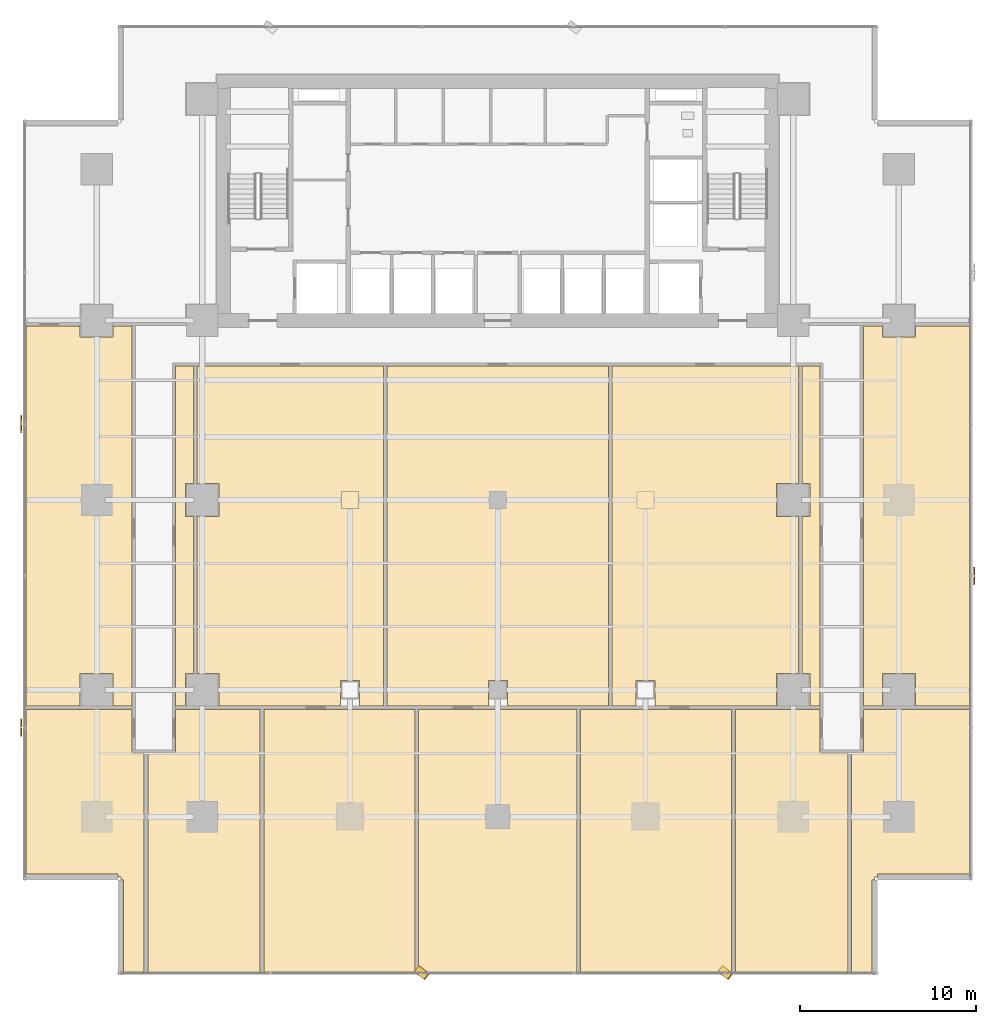
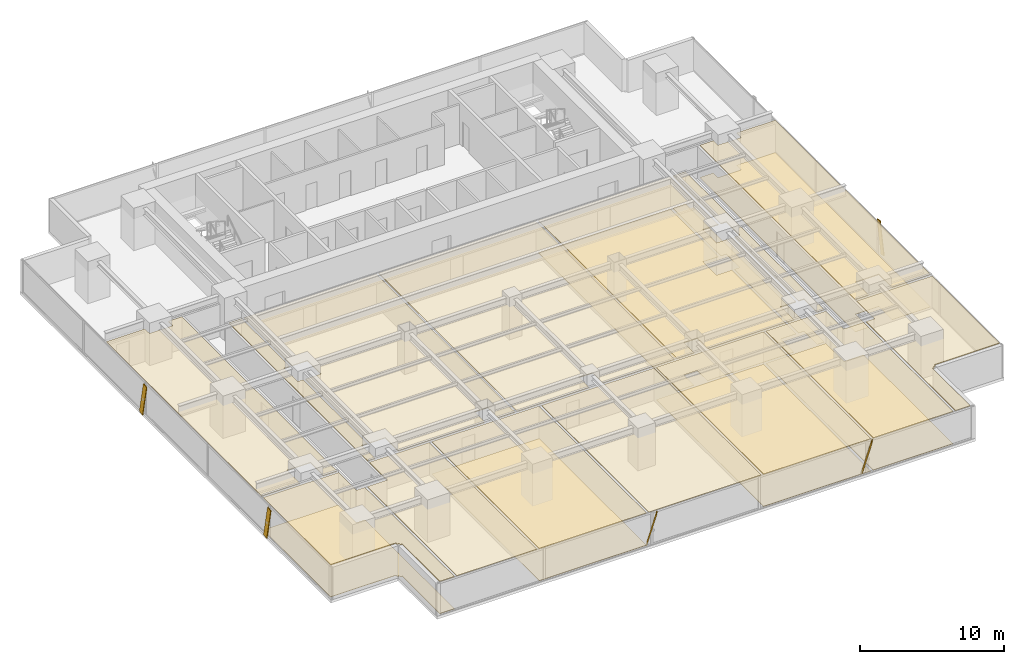
# One storey, part 30 of 34: 21 coverings, 5 shading devices.
"""IFC4 building model written with IfcOpenShell, lengths in metres."""

from ifc_helpers import new_model, si_unit, direction, frame, origin, origin_2d, place, context, subcontext, project, spatial, polyline, rectangle, outline, extrude, source, transform, mapped, material, layer, layer_set, material_profile, profile_set, type_object, element, save


model = new_model("IFC4")

# Units and contexts
model_context = context("Model", 3, precision=1e-05, world=origin(), true_north=direction((0.0, 1.0)))
body_context = subcontext(model_context, "Body", "Model", "MODEL_VIEW")
ifc_project = project(units=[si_unit("LENGTHUNIT", "METRE"), si_unit("AREAUNIT", "SQUARE_METRE"), si_unit("VOLUMEUNIT", "CUBIC_METRE"), si_unit("PLANEANGLEUNIT", "RADIAN"), si_unit("MASSUNIT", "GRAM", prefix="KILO")], contexts=[model_context])

# Site, building, storey
site_placement = place(None, origin())
site = spatial("IfcSite", under=ifc_project, at=site_placement, CompositionType="ELEMENT")
building_placement = place(site_placement, origin())
building = spatial("IfcBuilding", under=site, at=building_placement, Name="Sumidabori Civic Tower", CompositionType="ELEMENT")
storey_placement = place(building_placement, frame((0.0, 0.0, 56.0)))
storey = spatial("IfcBuildingStorey", under=building, at=storey_placement, Name="L14", CompositionType="ELEMENT", Elevation=56.0)

# Coverings
ifc_material_1 = material(Name="Gypsum Coffered Acoustic Ceiling")
ifc_layer_1 = layer(ifc_material_1, 0.06494140625, Name="Gypsum Coffered Acoustic Ceiling")
ifc_layer_set_1 = layer_set([ifc_layer_1], Name="Gypsum Coffered Acoustic Ceiling")
covering_type_1 = type_object("IfcCoveringType", Name="CV-CEIL-AC4", PredefinedType="CEILING", material=ifc_layer_set_1)
covering_1_placement = place(storey_placement, frame((0.0, 0.0, 2.7099609375)))
element("IfcCovering", 1, at=covering_1_placement, inside=storey, type_object=covering_type_1, Name="Room Acoustic Ceiling L14-02", PredefinedType="CEILING", context=body_context, shape_type="SweptSolid", body=[
    extrude(outline(polyline([(-21.860107421875, -11.697509765625), (-21.860107421875, -9.860107421875), (-23.739990234375, -9.860107421875), (-23.739990234375, -11.697509765625), (-26.830078125, -11.697509765625), (-26.830078125, 9.8974609375), (-23.739990234375, 9.8974609375), (-23.739990234375, 9.260009765625), (-21.860107421875, 9.260009765625), (-21.860107421875, 9.8974609375), (-20.784912109375, 9.8974609375), (-20.784912109375, -11.697509765625), (-21.860107421875, -11.697509765625)])), origin(), (0.0, 0.0, 1.0), 0.06494140625),
])
covering_2_placement = place(storey_placement, frame((0.0, 0.0, 2.7099609375)))
element("IfcCovering", 2, at=covering_2_placement, inside=storey, type_object=covering_type_1, Name="Room Acoustic Ceiling L14-03", PredefinedType="CEILING", context=body_context, shape_type="SweptSolid", body=[
    extrude(outline(polyline([(20.784912109375, 9.8974609375), (21.860107421875, 9.8974609375), (21.860107421875, 9.260009765625), (23.739990234375, 9.260009765625), (23.739990234375, 9.8974609375), (26.830078125, 9.8974609375), (26.830078125, -11.697509765625), (23.739990234375, -11.697509765625), (23.739990234375, -9.860107421875), (21.860107421875, -9.860107421875), (21.860107421875, -11.697509765625), (20.784912109375, -11.697509765625), (20.784912109375, 9.8974609375)])), origin(), (0.0, 0.0, 1.0), 0.06494140625),
])
covering_3_placement = place(storey_placement, frame((0.0, 0.0, 2.7099609375)))
element("IfcCovering", 3, at=covering_3_placement, inside=storey, type_object=covering_type_1, Name="Room Acoustic Ceiling L14-04", PredefinedType="CEILING", context=body_context, shape_type="SweptSolid", body=[
    extrude(outline(polyline([(-18.31494140625, 7.614990234375), (-17.302490234375, 7.614990234375), (-17.302490234375, 0.93994140625), (-17.739990234375, 0.93994140625), (-17.739990234375, -0.93994140625), (-17.302490234375, -0.93994140625), (-17.302490234375, -9.860107421875), (-17.739990234375, -9.860107421875), (-17.739990234375, -11.697509765625), (-18.31494140625, -11.697509765625), (-18.31494140625, 7.614990234375)])), origin(), (0.0, 0.0, 1.0), 0.06494140625),
])
covering_4_placement = place(storey_placement, frame((0.0, 0.0, 2.7099609375)))
element("IfcCovering", 4, at=covering_4_placement, inside=storey, type_object=covering_type_1, Name="Room Acoustic Ceiling L14-05", PredefinedType="CEILING", context=body_context, shape_type="SweptSolid", body=[
    extrude(outline(polyline([(18.31494140625, 7.614990234375), (18.31494140625, -11.697509765625), (17.739990234375, -11.697509765625), (17.739990234375, -9.860107421875), (17.302490234375, -9.860107421875), (17.302490234375, -0.93994140625), (17.739990234375, -0.93994140625), (17.739990234375, 0.93994140625), (17.302490234375, 0.93994140625), (17.302490234375, 7.614990234375), (18.31494140625, 7.614990234375)])), origin(), (0.0, 0.0, 1.0), 0.06494140625),
])
covering_5_placement = place(storey_placement, frame((0.0, 0.0, 2.7099609375)))
element("IfcCovering", 5, at=covering_5_placement, inside=storey, type_object=covering_type_1, Name="Room Acoustic Ceiling L14-06", PredefinedType="CEILING", context=body_context, shape_type="SweptSolid", body=[
    extrude(outline(polyline([(-6.50244140625, 7.614990234375), (-6.50244140625, -11.697509765625), (-7.860107421875, -11.697509765625), (-7.860107421875, -10.260009765625), (-8.93994140625, -10.260009765625), (-8.93994140625, -11.697509765625), (-15.860107421875, -11.697509765625), (-15.860107421875, -9.860107421875), (-17.097412109375, -9.860107421875), (-17.097412109375, -0.93994140625), (-15.860107421875, -0.93994140625), (-15.860107421875, 0.93994140625), (-17.097412109375, 0.93994140625), (-17.097412109375, 7.614990234375), (-6.50244140625, 7.614990234375)])), origin(), (0.0, 0.0, 1.0), 0.06494140625),
])
covering_6_placement = place(storey_placement, frame((0.0, 0.0, 2.7099609375)))
element("IfcCovering", 6, at=covering_6_placement, inside=storey, type_object=covering_type_1, Name="Room Acoustic Ceiling L14-07", PredefinedType="CEILING", context=body_context, shape_type="SweptSolid", body=[
    extrude(outline(polyline([(6.50244140625, 7.614990234375), (17.097412109375, 7.614990234375), (17.097412109375, 0.93994140625), (15.860107421875, 0.93994140625), (15.860107421875, -0.93994140625), (17.097412109375, -0.93994140625), (17.097412109375, -9.860107421875), (15.860107421875, -9.860107421875), (15.860107421875, -11.697509765625), (8.93994140625, -11.697509765625), (8.93994140625, -10.260009765625), (7.860107421875, -10.260009765625), (7.860107421875, -11.697509765625), (6.50244140625, -11.697509765625), (6.50244140625, 7.614990234375)])), origin(), (0.0, 0.0, 1.0), 0.06494140625),
])
covering_7_placement = place(storey_placement, frame((0.0, 0.0, 2.7099609375)))
element("IfcCovering", 7, at=covering_7_placement, inside=storey, type_object=covering_type_1, Name="Room Acoustic Ceiling L14-08", PredefinedType="CEILING", context=body_context, shape_type="SweptSolid", body=[
    extrude(outline(polyline([(-6.297607421875, 7.614990234375), (6.297607421875, 7.614990234375), (6.297607421875, -11.697509765625), (0.5400390625, -11.697509765625), (0.5400390625, -10.260009765625), (-0.5400390625, -10.260009765625), (-0.5400390625, -11.697509765625), (-6.297607421875, -11.697509765625), (-6.297607421875, 7.614990234375)])), origin(), (0.0, 0.0, 1.0), 0.06494140625),
])
covering_8_placement = place(storey_placement, frame((0.0, 0.0, 2.7099609375)))
element("IfcCovering", 8, at=covering_8_placement, inside=storey, type_object=covering_type_1, Name="Room Acoustic Ceiling L14-09", PredefinedType="CEILING", context=body_context, shape_type="SweptSolid", body=[
    extrude(outline(polyline([(-26.830078125, -21.27197265625), (-26.830078125, -11.902587890625), (-20.784912109375, -11.902587890625), (-20.784912109375, -14.385009765625), (-20.1025390625, -14.385009765625), (-20.1025390625, -26.830078125), (-21.27197265625, -26.830078125), (-21.27197265625, -21.592041015625), (-21.429931640625, -21.592041015625), (-21.429931640625, -21.429931640625), (-21.592041015625, -21.429931640625), (-21.592041015625, -21.27197265625), (-26.830078125, -21.27197265625)])), origin(), (0.0, 0.0, 1.0), 0.06494140625),
])
covering_9_placement = place(storey_placement, frame((0.0, 0.0, 2.7099609375)))
element("IfcCovering", 9, at=covering_9_placement, inside=storey, type_object=covering_type_1, Name="Room Acoustic Ceiling L14-10", PredefinedType="CEILING", context=body_context, shape_type="SweptSolid", body=[
    extrude(outline(polyline([(20.784912109375, -14.385009765625), (20.784912109375, -11.902587890625), (26.830078125, -11.902587890625), (26.830078125, -21.27197265625), (21.592041015625, -21.27197265625), (21.592041015625, -21.429931640625), (21.429931640625, -21.429931640625), (21.429931640625, -21.592041015625), (21.27197265625, -21.592041015625), (21.27197265625, -26.830078125), (20.1025390625, -26.830078125), (20.1025390625, -14.385009765625), (20.784912109375, -14.385009765625)])), origin(), (0.0, 0.0, 1.0), 0.06494140625),
])
covering_10_placement = place(storey_placement, frame((0.0, 0.0, 2.7099609375)))
element("IfcCovering", 10, at=covering_10_placement, inside=storey, type_object=covering_type_1, Name="Room Acoustic Ceiling L14-11", PredefinedType="CEILING", context=body_context, shape_type="SweptSolid", body=[
    extrude(outline(polyline([(-4.702392578125, -26.830078125), (-13.297607421875, -26.830078125), (-13.297607421875, -11.902587890625), (-4.702392578125, -11.902587890625), (-4.702392578125, -26.830078125)])), origin(), (0.0, 0.0, 1.0), 0.06494140625),
])
covering_11_placement = place(storey_placement, frame((0.0, 0.0, 2.7099609375)))
element("IfcCovering", 11, at=covering_11_placement, inside=storey, type_object=covering_type_1, Name="Room Acoustic Ceiling L14-12", PredefinedType="CEILING", context=body_context, shape_type="SweptSolid", body=[
    extrude(outline(polyline([(4.49755859375, -26.830078125), (-4.49755859375, -26.830078125), (-4.49755859375, -11.902587890625), (4.49755859375, -11.902587890625), (4.49755859375, -26.830078125)])), origin(), (0.0, 0.0, 1.0), 0.06494140625),
])
covering_12_placement = place(storey_placement, frame((0.0, 0.0, 2.7099609375)))
element("IfcCovering", 12, at=covering_12_placement, inside=storey, type_object=covering_type_1, Name="Room Acoustic Ceiling L14-13", PredefinedType="CEILING", context=body_context, shape_type="SweptSolid", body=[
    extrude(outline(polyline([(13.297607421875, -26.830078125), (4.702392578125, -26.830078125), (4.702392578125, -11.902587890625), (13.297607421875, -11.902587890625), (13.297607421875, -26.830078125)])), origin(), (0.0, 0.0, 1.0), 0.06494140625),
])
covering_13_placement = place(storey_placement, frame((0.0, 0.0, 2.7099609375)))
element("IfcCovering", 13, at=covering_13_placement, inside=storey, type_object=covering_type_1, Name="Room Acoustic Ceiling L14-14", PredefinedType="CEILING", context=body_context, shape_type="SweptSolid", body=[
    extrude(outline(polyline([(-18.31494140625, -14.385009765625), (-18.31494140625, -11.902587890625), (-13.50244140625, -11.902587890625), (-13.50244140625, -26.830078125), (-19.8974609375, -26.830078125), (-19.8974609375, -14.385009765625), (-18.31494140625, -14.385009765625)])), origin(), (0.0, 0.0, 1.0), 0.06494140625),
])
covering_14_placement = place(storey_placement, frame((0.0, 0.0, 2.7099609375)))
element("IfcCovering", 14, at=covering_14_placement, inside=storey, type_object=covering_type_1, Name="Room Acoustic Ceiling L14-15", PredefinedType="CEILING", context=body_context, shape_type="SweptSolid", body=[
    extrude(outline(polyline([(18.31494140625, -14.385009765625), (19.8974609375, -14.385009765625), (19.8974609375, -26.830078125), (13.50244140625, -26.830078125), (13.50244140625, -11.902587890625), (18.31494140625, -11.902587890625), (18.31494140625, -14.385009765625)])), origin(), (0.0, 0.0, 1.0), 0.06494140625),
])
ifc_material_2 = material(Name="Honed Terrazzo Tile Flooring")
ifc_layer_2 = layer(ifc_material_2, 0.030029296875, Name="Honed Terrazzo Tile Flooring")
ifc_layer_set_2 = layer_set([ifc_layer_2], Name="Honed Terrazzo Tile Flooring")
covering_type_2 = type_object("IfcCoveringType", Name="CV-FLR-TER", PredefinedType="FLOORING", material=ifc_layer_set_2)
covering_15_placement = place(storey_placement, origin())
element("IfcCovering", 15, at=covering_15_placement, inside=storey, type_object=covering_type_2, Name="Room Terrazzo Floor L14-03", PredefinedType="FLOORING", context=body_context, shape_type="SweptSolid", body=[
    extrude(outline(polyline([(20.784912109375, 9.8974609375), (21.860107421875, 9.8974609375), (21.860107421875, 9.260009765625), (23.739990234375, 9.260009765625), (23.739990234375, 9.8974609375), (26.830078125, 9.8974609375), (26.830078125, -11.697509765625), (23.739990234375, -11.697509765625), (23.739990234375, -9.860107421875), (21.860107421875, -9.860107421875), (21.860107421875, -11.697509765625), (20.784912109375, -11.697509765625), (20.784912109375, 9.8974609375)])), origin(), (0.0, 0.0, 1.0), 0.030029296875),
])
covering_16_placement = place(storey_placement, origin())
element("IfcCovering", 16, at=covering_16_placement, inside=storey, type_object=covering_type_2, Name="Room Terrazzo Floor L14-05", PredefinedType="FLOORING", context=body_context, shape_type="SweptSolid", body=[
    extrude(outline(polyline([(18.31494140625, 7.614990234375), (18.31494140625, -11.697509765625), (17.739990234375, -11.697509765625), (17.739990234375, -9.860107421875), (17.302490234375, -9.860107421875), (17.302490234375, -0.93994140625), (17.739990234375, -0.93994140625), (17.739990234375, 0.93994140625), (17.302490234375, 0.93994140625), (17.302490234375, 7.614990234375), (18.31494140625, 7.614990234375)])), origin(), (0.0, 0.0, 1.0), 0.030029296875),
])
covering_17_placement = place(storey_placement, origin())
element("IfcCovering", 17, at=covering_17_placement, inside=storey, type_object=covering_type_2, Name="Room Terrazzo Floor L14-07", PredefinedType="FLOORING", context=body_context, shape_type="SweptSolid", body=[
    extrude(outline(polyline([(6.50244140625, 7.614990234375), (17.097412109375, 7.614990234375), (17.097412109375, 0.93994140625), (15.860107421875, 0.93994140625), (15.860107421875, -0.93994140625), (17.097412109375, -0.93994140625), (17.097412109375, -9.860107421875), (15.860107421875, -9.860107421875), (15.860107421875, -11.697509765625), (8.93994140625, -11.697509765625), (8.93994140625, -10.260009765625), (7.860107421875, -10.260009765625), (7.860107421875, -11.697509765625), (6.50244140625, -11.697509765625), (6.50244140625, 7.614990234375)])), origin(), (0.0, 0.0, 1.0), 0.030029296875),
])
covering_18_placement = place(storey_placement, origin())
element("IfcCovering", 18, at=covering_18_placement, inside=storey, type_object=covering_type_2, Name="Room Terrazzo Floor L14-09", PredefinedType="FLOORING", context=body_context, shape_type="SweptSolid", body=[
    extrude(outline(polyline([(-26.830078125, -21.27197265625), (-26.830078125, -11.902587890625), (-20.784912109375, -11.902587890625), (-20.784912109375, -14.385009765625), (-20.1025390625, -14.385009765625), (-20.1025390625, -26.830078125), (-21.27197265625, -26.830078125), (-21.27197265625, -21.592041015625), (-21.429931640625, -21.592041015625), (-21.429931640625, -21.429931640625), (-21.592041015625, -21.429931640625), (-21.592041015625, -21.27197265625), (-26.830078125, -21.27197265625)])), origin(), (0.0, 0.0, 1.0), 0.030029296875),
])
covering_19_placement = place(storey_placement, origin())
element("IfcCovering", 19, at=covering_19_placement, inside=storey, type_object=covering_type_2, Name="Room Terrazzo Floor L14-11", PredefinedType="FLOORING", context=body_context, shape_type="SweptSolid", body=[
    extrude(outline(polyline([(-4.702392578125, -26.830078125), (-13.297607421875, -26.830078125), (-13.297607421875, -11.902587890625), (-4.702392578125, -11.902587890625), (-4.702392578125, -26.830078125)])), origin(), (0.0, 0.0, 1.0), 0.030029296875),
])
covering_20_placement = place(storey_placement, origin())
element("IfcCovering", 20, at=covering_20_placement, inside=storey, type_object=covering_type_2, Name="Room Terrazzo Floor L14-13", PredefinedType="FLOORING", context=body_context, shape_type="SweptSolid", body=[
    extrude(outline(polyline([(13.297607421875, -26.830078125), (4.702392578125, -26.830078125), (4.702392578125, -11.902587890625), (13.297607421875, -11.902587890625), (13.297607421875, -26.830078125)])), origin(), (0.0, 0.0, 1.0), 0.030029296875),
])
covering_21_placement = place(storey_placement, origin())
element("IfcCovering", 21, at=covering_21_placement, inside=storey, type_object=covering_type_2, Name="Room Terrazzo Floor L14-15", PredefinedType="FLOORING", context=body_context, shape_type="SweptSolid", body=[
    extrude(outline(polyline([(18.31494140625, -14.385009765625), (19.8974609375, -14.385009765625), (19.8974609375, -26.830078125), (13.50244140625, -26.830078125), (13.50244140625, -11.902587890625), (18.31494140625, -11.902587890625), (18.31494140625, -14.385009765625)])), origin(), (0.0, 0.0, 1.0), 0.030029296875),
])

# Shading devices
ifc_material_3 = material(Name="Anodised Bronze Aluminium AW-6063-T6", Category="aluminium")
ifc_material_profile = material_profile(ifc_material_3, rectangle(XDim=0.06005859375, YDim=0.449951171875, at=origin_2d()), Name="BRONZE FIN 450x60")
ifc_profile_set = profile_set([ifc_material_profile], Name="Anodised Bronze Aluminium AW-6063-T6")
shading_device_type = type_object("IfcShadingDeviceType", Name="SH-FIN-450", PredefinedType="USERDEFINED", material=ifc_profile_set)
shared_shape_1 = source(origin(), body_context, "Body", "SweptSolid", [
    extrude(rectangle(XDim=0.06005859375, YDim=0.449951171875, at=origin_2d()), origin(), (0.0, 0.0, 1.0), 2.769775390625),
])
for number, where, z_axis, x_axis, name in (
    (22, (-4.593994140625, -26.669921875, 0.02001953125), (0.202195931323, -0.151691019096, 0.967526041035), (0.773939855131, -0.580623579198, -0.252771358975), "Bronze Anodised Diagonal Fin L14-02"),
    (23, (12.662109375, -26.669921875, 0.02001953125), (0.20211139135, -0.151693721986, 0.967543280787), (0.773832092044, -0.580795913828, -0.252705361643), "Bronze Anodised Diagonal Fin L14-04"),
):
    element("IfcShadingDevice", number, at=place(storey_placement, frame(where, z_axis=z_axis, x_axis=x_axis)), inside=storey, type_object=shading_device_type, Name=name, ObjectType="FIN", PredefinedType="USERDEFINED", context=body_context, shape_type="MappedRepresentation", body=[
        mapped(shared_shape_1, transform((0.0, 0.0, 0.0), x_axis=(1.0, 0.0, 0.0), y_axis=(0.0, 1.0, 0.0), z_axis=(0.0, 0.0, 1.0), scale=1.0)),
    ])
shared_shape_2 = source(origin(), body_context, "Body", "SweptSolid", [
    extrude(rectangle(XDim=0.06005859375, YDim=0.449951171875, at=origin_2d()), origin(), (0.0, 0.0, 1.0), 2.73779296875),
])
for number, where, z_axis, x_axis, name in (
    (24, (27.090087890625, -4.593994140625, 0.02001953125), (0.0, 0.204563143937, 0.978853370093), (-1.0, 0.0, 0.0), "Bronze Anodised Diagonal Fin L14-02"),
    (25, (-27.090087890625, 4.593994140625, 0.02001953125), (0.0, -0.204563143937, 0.978853370093), (-1.0, 0.0, 0.0), "Bronze Anodised Diagonal Fin L14-02"),
    (26, (-27.090087890625, -12.662109375, 0.02001953125), (0.0, -0.204477700022, 0.978871222477), (-1.0, 0.0, 0.0), "Bronze Anodised Diagonal Fin L14-04"),
):
    element("IfcShadingDevice", number, at=place(storey_placement, frame(where, z_axis=z_axis, x_axis=x_axis)), inside=storey, type_object=shading_device_type, Name=name, ObjectType="FIN", PredefinedType="USERDEFINED", context=body_context, shape_type="MappedRepresentation", body=[
        mapped(shared_shape_2, transform((0.0, 0.0, 0.0), x_axis=(1.0, 0.0, 0.0), y_axis=(0.0, 1.0, 0.0), z_axis=(0.0, 0.0, 1.0), scale=1.0)),
    ])

save(model, "model.ifc")
